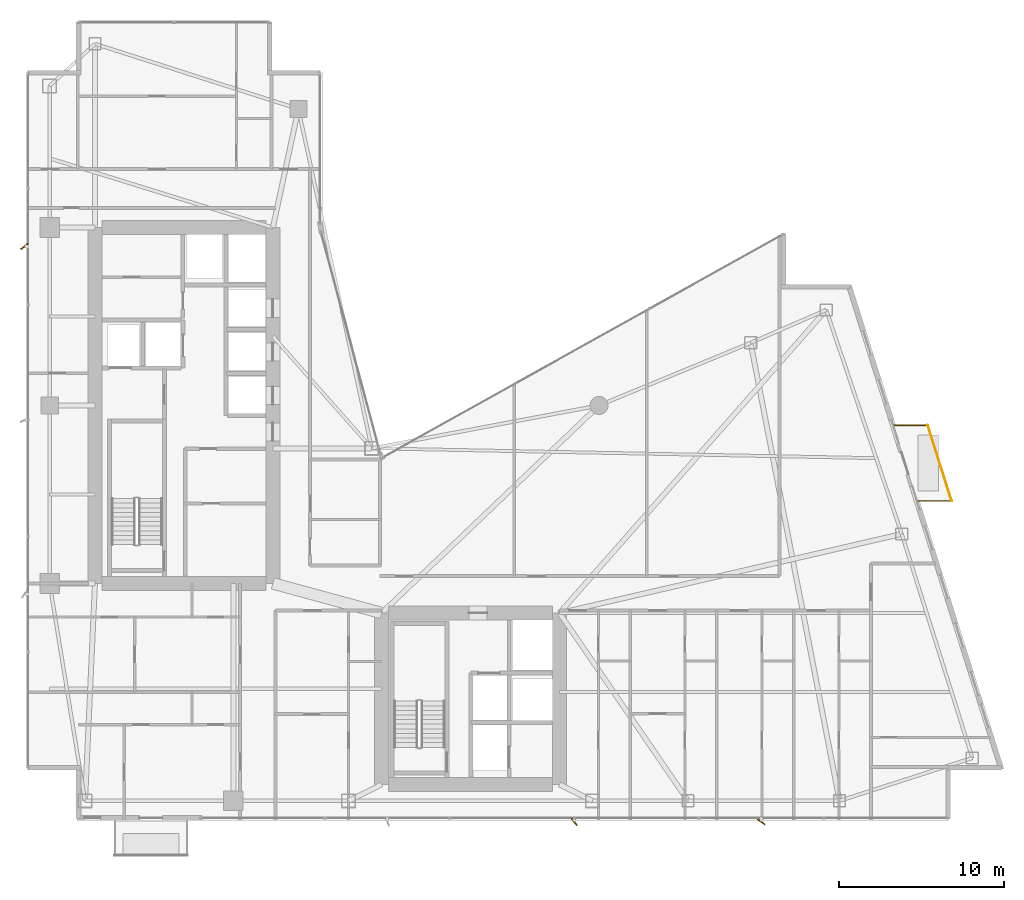
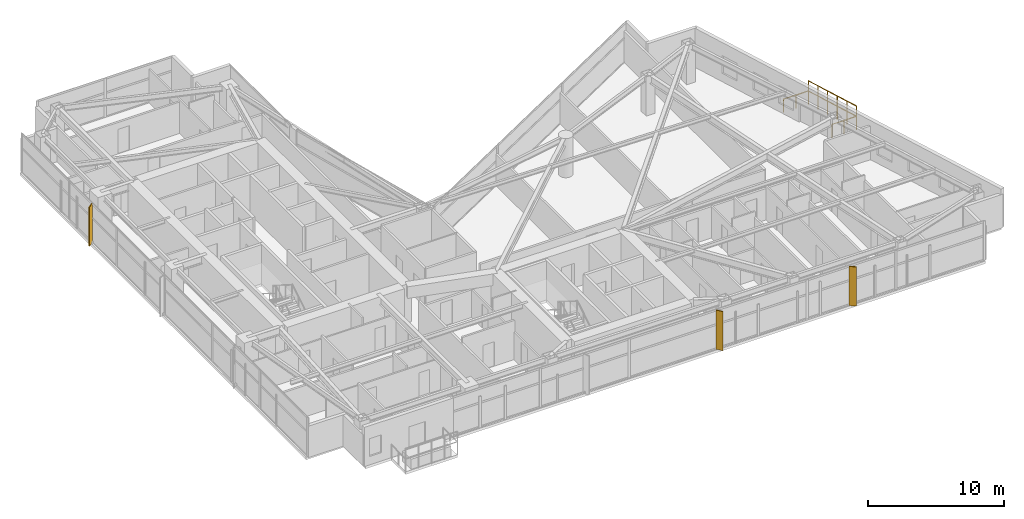
# One storey, part 28 of 28: 3 shading devices, 2 railings.
"""IFC4 building model written with IfcOpenShell, lengths in metres."""

from ifc_helpers import new_model, si_unit, direction, frame, origin, origin_2d, place, context, subcontext, project, spatial, rectangle, circle, extrude, material, type_object, element, save


model = new_model("IFC4")

# Units and contexts
model_context = context("Model", 3, precision=1e-05, world=origin(), true_north=direction((0.0, 1.0)))
body_context = subcontext(model_context, "Body", "Model", "MODEL_VIEW")
ifc_project = project(units=[si_unit("LENGTHUNIT", "METRE"), si_unit("AREAUNIT", "SQUARE_METRE"), si_unit("VOLUMEUNIT", "CUBIC_METRE"), si_unit("PLANEANGLEUNIT", "RADIAN"), si_unit("MASSUNIT", "GRAM", prefix="KILO")], contexts=[model_context])

# Site, building, storey
site_placement = place(None, origin())
site = spatial("IfcSite", under=ifc_project, at=site_placement, CompositionType="ELEMENT")
building_placement = place(site_placement, origin())
building = spatial("IfcBuilding", under=site, at=building_placement, Name="Calvorn Quay Hotel", CompositionType="ELEMENT")
storey_placement = place(building_placement, frame((0.0, 0.0, 135.39990234375)))
storey = spatial("IfcBuildingStorey", under=building, at=storey_placement, Name="L33", CompositionType="ELEMENT", Elevation=135.39990234375)

# Railings
ifc_material_1 = material(Name="Pale Anodised Aluminium and Laminated Glass", Category="aluminium")
railing_type = type_object("IfcRailingType", Name="RLG-BALUSTRADE-1200", PredefinedType="BALUSTRADE", material=ifc_material_1)
railing_1_placement = place(storey_placement, frame((54.10595703125, 21.800048828125, 0.0)))
element("IfcRailing", 1, at=railing_1_placement, inside=storey, type_object=railing_type, Name="Tree Balcony Perimeter Balustrade L33-BALC-E", PredefinedType="BALUSTRADE", context=body_context, shape_type="SweptSolid", body=[
    extrude(circle(Radius=0.02392578125, at=origin_2d()), frame((0.0, 0.0, 1.17578125), z_axis=(1.0, 0.0, 0.0), x_axis=(0.0, 1.0, 0.0)), (0.0, 0.0, 1.0), 2.10009765625),
    extrude(circle(Radius=0.02392578125, at=origin_2d()), frame((2.10009765625, 0.0, 1.17578125), z_axis=(-0.300450487966, 0.953797412599, 0.0), x_axis=(-0.953797412599, -0.300450487966, 0.0)), (0.0, 0.0, 1.0), 4.82275390625),
    extrude(circle(Radius=0.02392578125, at=origin_2d()), frame((0.651123046875, 4.599853515625, 1.17578125), z_axis=(-1.0, 0.0, 0.0), x_axis=(0.0, -1.0, 0.0)), (0.0, 0.0, 1.0), 2.10009765625),
    extrude(circle(Radius=0.02099609375, at=origin_2d()), origin(), (0.0, 0.0, 1.0), 1.15185546875),
    extrude(circle(Radius=0.02099609375, at=origin_2d()), frame((1.050048828125, 0.0, 0.0)), (0.0, 0.0, 1.0), 1.15185546875),
    extrude(circle(Radius=0.02099609375, at=origin_2d()), frame((2.10009765625, 0.0, 0.0)), (0.0, 0.0, 1.0), 1.15185546875),
    extrude(circle(Radius=0.02099609375, at=origin_2d()), frame((1.810302734375, 0.919921875, 0.0)), (0.0, 0.0, 1.0), 1.15185546875),
    extrude(circle(Radius=0.02099609375, at=origin_2d()), frame((1.5205078125, 1.83984375, 0.0)), (0.0, 0.0, 1.0), 1.15185546875),
    extrude(circle(Radius=0.02099609375, at=origin_2d()), frame((1.230712890625, 2.760009765625, 0.0)), (0.0, 0.0, 1.0), 1.15185546875),
    extrude(circle(Radius=0.02099609375, at=origin_2d()), frame((0.94091796875, 3.679931640625, 0.0)), (0.0, 0.0, 1.0), 1.15185546875),
    extrude(circle(Radius=0.02099609375, at=origin_2d()), frame((0.651123046875, 4.599853515625, 0.0)), (0.0, 0.0, 1.0), 1.15185546875),
    extrude(circle(Radius=0.02099609375, at=origin_2d()), frame((-0.39892578125, 4.599853515625, 0.0)), (0.0, 0.0, 1.0), 1.15185546875),
    extrude(circle(Radius=0.02099609375, at=origin_2d()), frame((-1.448974609375, 4.599853515625, 0.0)), (0.0, 0.0, 1.0), 1.15185546875),
])
railing_2_placement = place(storey_placement, frame((56.2060546875, 21.800048828125, 0.900146484375)))
element("IfcRailing", 2, at=railing_2_placement, inside=storey, type_object=railing_type, Name="Planter Kerb High Safety Screen L33-BALC-E", PredefinedType="BALUSTRADE", context=body_context, shape_type="SweptSolid", body=[
    extrude(circle(Radius=0.02392578125, at=origin_2d()), frame((0.0, 0.0, 1.19580078125), z_axis=(-0.300450487966, 0.953797412599, 0.0), x_axis=(-0.953797412599, -0.300450487966, 0.0)), (0.0, 0.0, 1.0), 4.82275390625),
    extrude(circle(Radius=0.02099609375, at=origin_2d()), origin(), (0.0, 0.0, 1.0), 1.171875),
    extrude(circle(Radius=0.02099609375, at=origin_2d()), frame((-0.289794921875, 0.919921875, 0.0)), (0.0, 0.0, 1.0), 1.171875),
    extrude(circle(Radius=0.02099609375, at=origin_2d()), frame((-0.57958984375, 1.83984375, 0.0)), (0.0, 0.0, 1.0), 1.171875),
    extrude(circle(Radius=0.02099609375, at=origin_2d()), frame((-0.869384765625, 2.760009765625, 0.0)), (0.0, 0.0, 1.0), 1.171875),
    extrude(circle(Radius=0.02099609375, at=origin_2d()), frame((-1.1591796875, 3.679931640625, 0.0)), (0.0, 0.0, 1.0), 1.171875),
    extrude(circle(Radius=0.02099609375, at=origin_2d()), frame((-1.448974609375, 4.599853515625, 0.0)), (0.0, 0.0, 1.0), 1.171875),
])

# Shading devices
ifc_material_2 = material(Name="Champagne Bronze Anodised Aluminium 6063-T6", Category="aluminium")
shading_device_type_1 = type_object("IfcShadingDeviceType", Name="SHD-FIN-A2", PredefinedType="USERDEFINED", material=ifc_material_2)
for number, where, z_axis, x_axis, name in (
    (3, (-0.080078125, 37.25, 0.0), (0.0, 0.0, 1.0), (0.788010753607, 0.615661475326, 0.0), "Diagonal Sun-Shading Fin L33-W03"),
    (4, (33.300048828125, 2.320068359375, 0.0), (0.0, 0.0, 1.0), (-0.615661475326, 0.788010753607, 0.0), "Diagonal Sun-Shading Fin L33-S02"),
):
    element("IfcShadingDevice", number, at=place(storey_placement, frame(where, z_axis=z_axis, x_axis=x_axis)), inside=storey, type_object=shading_device_type_1, Name=name, ObjectType="FIN", PredefinedType="USERDEFINED", context=body_context, shape_type="SweptSolid", body=[
        extrude(rectangle(XDim=0.550048828125, YDim=0.080078125, at=origin_2d()), origin(), (0.0, 0.0, 1.0), 3.52001953125),
    ])
ifc_material_3 = material(Name="Champagne Bronze Anodised Aluminium 6063-T6", Category="aluminium")
shading_device_type_2 = type_object("IfcShadingDeviceType", Name="SHD-FIN-A3", PredefinedType="USERDEFINED", material=ifc_material_3)
shading_device_placement = place(storey_placement, frame((44.64990234375, 2.320068359375, 0.0), z_axis=(0.0, 0.0, 1.0), x_axis=(-0.809016994375, 0.587785252292, 0.0)))
element("IfcShadingDevice", 5, at=shading_device_placement, inside=storey, type_object=shading_device_type_2, Name="Diagonal Sun-Shading Fin L33-S03", ObjectType="FIN", PredefinedType="USERDEFINED", context=body_context, shape_type="SweptSolid", body=[
    extrude(rectangle(XDim=0.550048828125, YDim=0.080078125, at=origin_2d()), origin(), (0.0, 0.0, 1.0), 3.52001953125),
])

save(model, "model.ifc")
